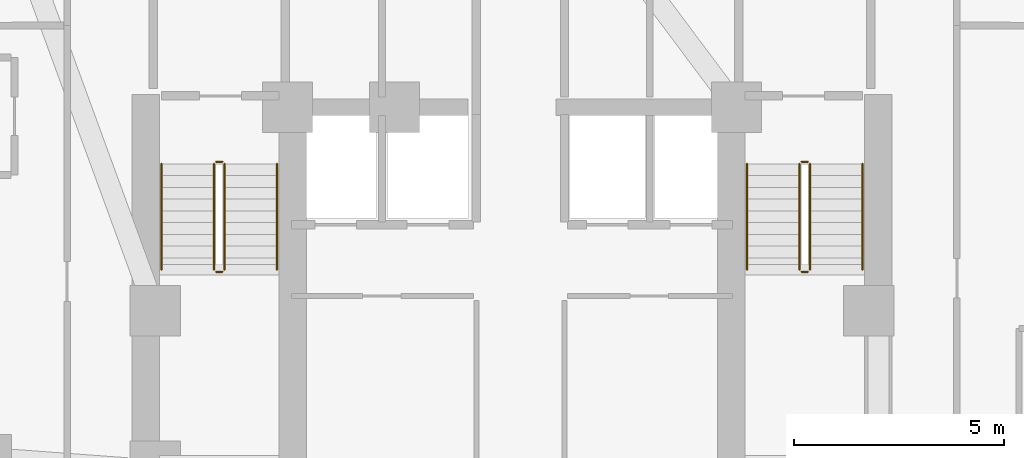
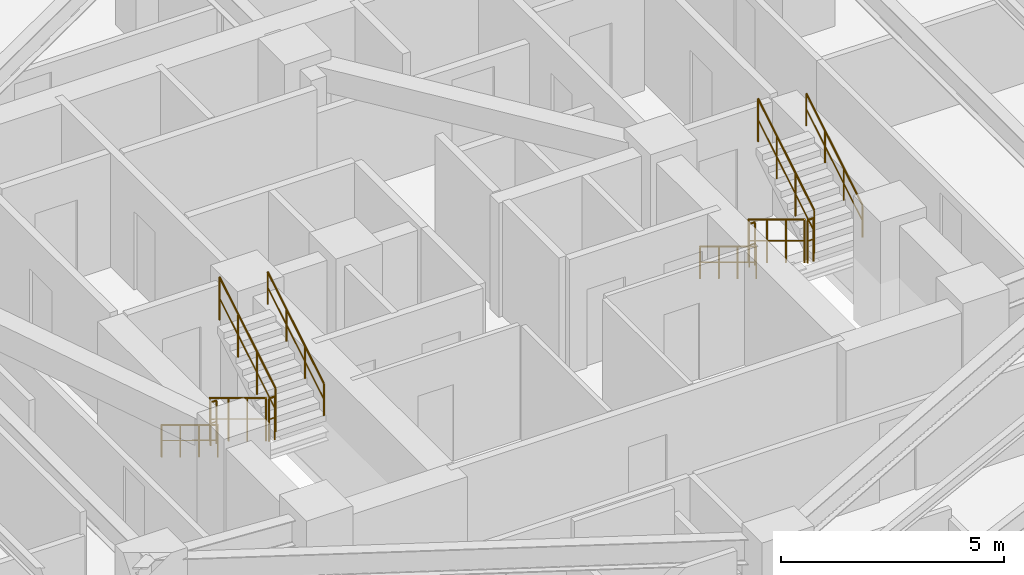
# One storey, part 15 of 15: 12 railings.
"""IFC4 building model written with IfcOpenShell, lengths in metres."""

from ifc_helpers import new_model, si_unit, direction, frame, origin, origin_2d, place, context, subcontext, project, spatial, circle, extrude, material, type_object, element, save


model = new_model("IFC4")

# Units and contexts
model_context = context("Model", 3, precision=1e-05, world=origin(), true_north=direction((0.0, 1.0)))
body_context = subcontext(model_context, "Body", "Model", "MODEL_VIEW")
ifc_project = project(units=[si_unit("LENGTHUNIT", "METRE"), si_unit("AREAUNIT", "SQUARE_METRE"), si_unit("VOLUMEUNIT", "CUBIC_METRE"), si_unit("PLANEANGLEUNIT", "RADIAN"), si_unit("MASSUNIT", "GRAM", prefix="KILO")], contexts=[model_context])

# Site, building, storey
site_placement = place(None, origin())
site = spatial("IfcSite", under=ifc_project, at=site_placement, CompositionType="ELEMENT")
building_placement = place(site_placement, origin())
building = spatial("IfcBuilding", under=site, at=building_placement, Name="Miruveldt Soraemaru", CompositionType="ELEMENT")
storey_placement = place(building_placement, frame((0.0, 0.0, 83.60009765625)))
storey = spatial("IfcBuildingStorey", under=building, at=storey_placement, Name="L23", CompositionType="ELEMENT", Elevation=83.60009765625)

# Railings
ifc_material = material(Name="Steel S355 (355 MPa)", Category="steel")
railing_type_1 = type_object("IfcRailingType", Name="RAIL-HR-900", PredefinedType="HANDRAIL", material=ifc_material)
railing_1_placement = place(storey_placement, frame((35.64990234375, 42.699951171875, 0.169921875)))
element("IfcRailing", 1, at=railing_1_placement, inside=storey, type_object=railing_type_1, Name="L23 ST-1 stair handrail 1", PredefinedType="HANDRAIL", context=body_context, shape_type="SweptSolid", body=[
    extrude(circle(Radius=0.02392578125, at=origin_2d()), frame((0.0, 0.0, 0.8759765625), z_axis=(0.0, -0.85478489116, 0.518982456201), x_axis=(1.0, 0.0, 0.0)), (0.0, 0.0, 1.0), 2.9482421875),
    extrude(circle(Radius=0.01611328125, at=origin_2d()), frame((0.0, 0.0, 0.449951171875), z_axis=(0.0, -0.85478489116, 0.518982456201), x_axis=(1.0, 0.0, 0.0)), (0.0, 0.0, 1.0), 2.9482421875),
    extrude(circle(Radius=0.02099609375, at=origin_2d()), origin(), (0.0, 0.0, 1.0), 0.851806640625),
    extrude(circle(Radius=0.02099609375, at=origin_2d()), frame((0.0, -0.840087890625, 0.510009765625)), (0.0, 0.0, 1.0), 0.851806640625),
    extrude(circle(Radius=0.02099609375, at=origin_2d()), frame((0.0, -1.679931640625, 1.02001953125)), (0.0, 0.0, 1.0), 0.851806640625),
    extrude(circle(Radius=0.02099609375, at=origin_2d()), frame((0.0, -2.52001953125, 1.530029296875)), (0.0, 0.0, 1.0), 0.851806640625),
])
railing_2_placement = place(storey_placement, frame((38.39990234375, 40.179931640625, 1.869873046875)))
element("IfcRailing", 2, at=railing_2_placement, inside=storey, type_object=railing_type_1, Name="L23 ST-1 stair handrail 2", PredefinedType="HANDRAIL", context=body_context, shape_type="SweptSolid", body=[
    extrude(circle(Radius=0.02392578125, at=origin_2d()), frame((0.0, 0.0, 0.8759765625), z_axis=(0.0, 0.85478489116, 0.518982456201), x_axis=(-1.0, 0.0, 0.0)), (0.0, 0.0, 1.0), 2.9482421875),
    extrude(circle(Radius=0.01611328125, at=origin_2d()), frame((0.0, 0.0, 0.449951171875), z_axis=(0.0, 0.85478489116, 0.518982456201), x_axis=(-1.0, 0.0, 0.0)), (0.0, 0.0, 1.0), 2.9482421875),
    extrude(circle(Radius=0.02099609375, at=origin_2d()), origin(), (0.0, 0.0, 1.0), 0.851806640625),
    extrude(circle(Radius=0.02099609375, at=origin_2d()), frame((0.0, 0.840087890625, 0.510009765625)), (0.0, 0.0, 1.0), 0.851806640625),
    extrude(circle(Radius=0.02099609375, at=origin_2d()), frame((0.0, 1.679931640625, 1.02001953125)), (0.0, 0.0, 1.0), 0.851806640625),
    extrude(circle(Radius=0.02099609375, at=origin_2d()), frame((0.0, 2.52001953125, 1.530029296875)), (0.0, 0.0, 1.0), 0.851806640625),
])
railing_3_placement = place(storey_placement, frame((49.60009765625, 42.699951171875, 0.169921875)))
element("IfcRailing", 3, at=railing_3_placement, inside=storey, type_object=railing_type_1, Name="L23 ST-2 stair handrail 1", PredefinedType="HANDRAIL", context=body_context, shape_type="SweptSolid", body=[
    extrude(circle(Radius=0.02392578125, at=origin_2d()), frame((0.0, 0.0, 0.8759765625), z_axis=(0.0, -0.85478489116, 0.518982456201), x_axis=(1.0, 0.0, 0.0)), (0.0, 0.0, 1.0), 2.9482421875),
    extrude(circle(Radius=0.01611328125, at=origin_2d()), frame((0.0, 0.0, 0.449951171875), z_axis=(0.0, -0.85478489116, 0.518982456201), x_axis=(1.0, 0.0, 0.0)), (0.0, 0.0, 1.0), 2.9482421875),
    extrude(circle(Radius=0.02099609375, at=origin_2d()), origin(), (0.0, 0.0, 1.0), 0.851806640625),
    extrude(circle(Radius=0.02099609375, at=origin_2d()), frame((0.0, -0.840087890625, 0.510009765625)), (0.0, 0.0, 1.0), 0.851806640625),
    extrude(circle(Radius=0.02099609375, at=origin_2d()), frame((0.0, -1.679931640625, 1.02001953125)), (0.0, 0.0, 1.0), 0.851806640625),
    extrude(circle(Radius=0.02099609375, at=origin_2d()), frame((0.0, -2.52001953125, 1.530029296875)), (0.0, 0.0, 1.0), 0.851806640625),
])
railing_4_placement = place(storey_placement, frame((52.35009765625, 40.179931640625, 1.869873046875)))
element("IfcRailing", 4, at=railing_4_placement, inside=storey, type_object=railing_type_1, Name="L23 ST-2 stair handrail 2", PredefinedType="HANDRAIL", context=body_context, shape_type="SweptSolid", body=[
    extrude(circle(Radius=0.02392578125, at=origin_2d()), frame((0.0, 0.0, 0.8759765625), z_axis=(0.0, 0.85478489116, 0.518982456201), x_axis=(-1.0, 0.0, 0.0)), (0.0, 0.0, 1.0), 2.9482421875),
    extrude(circle(Radius=0.01611328125, at=origin_2d()), frame((0.0, 0.0, 0.449951171875), z_axis=(0.0, 0.85478489116, 0.518982456201), x_axis=(-1.0, 0.0, 0.0)), (0.0, 0.0, 1.0), 2.9482421875),
    extrude(circle(Radius=0.02099609375, at=origin_2d()), origin(), (0.0, 0.0, 1.0), 0.851806640625),
    extrude(circle(Radius=0.02099609375, at=origin_2d()), frame((0.0, 0.840087890625, 0.510009765625)), (0.0, 0.0, 1.0), 0.851806640625),
    extrude(circle(Radius=0.02099609375, at=origin_2d()), frame((0.0, 1.679931640625, 1.02001953125)), (0.0, 0.0, 1.0), 0.851806640625),
    extrude(circle(Radius=0.02099609375, at=origin_2d()), frame((0.0, 2.52001953125, 1.530029296875)), (0.0, 0.0, 1.0), 0.851806640625),
])
railing_type_2 = type_object("IfcRailingType", Name="RAIL-STGUARD-1200", PredefinedType="GUARDRAIL", material=ifc_material)
railing_5_placement = place(storey_placement, frame((36.89990234375, 42.699951171875, 0.169921875)))
element("IfcRailing", 5, at=railing_5_placement, inside=storey, type_object=railing_type_2, Name="L23 ST-1 stair guard 1", PredefinedType="GUARDRAIL", context=body_context, shape_type="SweptSolid", body=[
    extrude(circle(Radius=0.02392578125, at=origin_2d()), frame((0.0, 0.0, 1.17578125), z_axis=(0.0, -0.85478489116, 0.518982456201), x_axis=(1.0, 0.0, 0.0)), (0.0, 0.0, 1.0), 2.9482421875),
    extrude(circle(Radius=0.01611328125, at=origin_2d()), frame((0.0, 0.0, 0.60009765625), z_axis=(0.0, -0.85478489116, 0.518982456201), x_axis=(1.0, 0.0, 0.0)), (0.0, 0.0, 1.0), 2.9482421875),
    extrude(circle(Radius=0.02099609375, at=origin_2d()), origin(), (0.0, 0.0, 1.0), 1.15185546875),
    extrude(circle(Radius=0.02099609375, at=origin_2d()), frame((0.0, -0.840087890625, 0.510009765625)), (0.0, 0.0, 1.0), 1.15185546875),
    extrude(circle(Radius=0.02099609375, at=origin_2d()), frame((0.0, -1.679931640625, 1.02001953125)), (0.0, 0.0, 1.0), 1.15185546875),
    extrude(circle(Radius=0.02099609375, at=origin_2d()), frame((0.0, -2.52001953125, 1.530029296875)), (0.0, 0.0, 1.0), 1.15185546875),
])
railing_6_placement = place(storey_placement, frame((36.949951171875, 40.1298828125, 1.699951171875)))
element("IfcRailing", 6, at=railing_6_placement, inside=storey, type_object=railing_type_2, Name="L23 ST-1 stair guard 2", PredefinedType="GUARDRAIL", context=body_context, shape_type="SweptSolid", body=[
    extrude(circle(Radius=0.02392578125, at=origin_2d()), frame((0.0, 0.0, 1.17578125), z_axis=(1.0, 0.0, 0.0), x_axis=(0.0, 1.0, 0.0)), (0.0, 0.0, 1.0), 0.150146484375),
    extrude(circle(Radius=0.01611328125, at=origin_2d()), frame((0.0, 0.0, 0.60009765625), z_axis=(1.0, 0.0, 0.0), x_axis=(0.0, 1.0, 0.0)), (0.0, 0.0, 1.0), 0.150146484375),
    extrude(circle(Radius=0.02099609375, at=origin_2d()), origin(), (0.0, 0.0, 1.0), 1.15185546875),
    extrude(circle(Radius=0.02099609375, at=origin_2d()), frame((0.150146484375, 0.0, 0.0)), (0.0, 0.0, 1.0), 1.15185546875),
])
railing_7_placement = place(storey_placement, frame((37.14990234375, 40.179931640625, 1.869873046875)))
element("IfcRailing", 7, at=railing_7_placement, inside=storey, type_object=railing_type_2, Name="L23 ST-1 stair guard 3", PredefinedType="GUARDRAIL", context=body_context, shape_type="SweptSolid", body=[
    extrude(circle(Radius=0.02392578125, at=origin_2d()), frame((0.0, 0.0, 1.17578125), z_axis=(0.0, 0.85478489116, 0.518982456201), x_axis=(-1.0, 0.0, 0.0)), (0.0, 0.0, 1.0), 2.9482421875),
    extrude(circle(Radius=0.01611328125, at=origin_2d()), frame((0.0, 0.0, 0.60009765625), z_axis=(0.0, 0.85478489116, 0.518982456201), x_axis=(-1.0, 0.0, 0.0)), (0.0, 0.0, 1.0), 2.9482421875),
    extrude(circle(Radius=0.02099609375, at=origin_2d()), origin(), (0.0, 0.0, 1.0), 1.15185546875),
    extrude(circle(Radius=0.02099609375, at=origin_2d()), frame((0.0, 0.840087890625, 0.510009765625)), (0.0, 0.0, 1.0), 1.15185546875),
    extrude(circle(Radius=0.02099609375, at=origin_2d()), frame((0.0, 1.679931640625, 1.02001953125)), (0.0, 0.0, 1.0), 1.15185546875),
    extrude(circle(Radius=0.02099609375, at=origin_2d()), frame((0.0, 2.52001953125, 1.530029296875)), (0.0, 0.0, 1.0), 1.15185546875),
])
railing_8_placement = place(storey_placement, frame((36.949951171875, 42.75, 0.0)))
element("IfcRailing", 8, at=railing_8_placement, inside=storey, type_object=railing_type_2, Name="L23 ST-1 stair guard 4", PredefinedType="GUARDRAIL", context=body_context, shape_type="SweptSolid", body=[
    extrude(circle(Radius=0.02392578125, at=origin_2d()), frame((0.0, 0.0, 1.17578125), z_axis=(1.0, 0.0, 0.0), x_axis=(0.0, 1.0, 0.0)), (0.0, 0.0, 1.0), 0.150146484375),
    extrude(circle(Radius=0.01611328125, at=origin_2d()), frame((0.0, 0.0, 0.60009765625), z_axis=(1.0, 0.0, 0.0), x_axis=(0.0, 1.0, 0.0)), (0.0, 0.0, 1.0), 0.150146484375),
    extrude(circle(Radius=0.02099609375, at=origin_2d()), origin(), (0.0, 0.0, 1.0), 1.15185546875),
    extrude(circle(Radius=0.02099609375, at=origin_2d()), frame((0.150146484375, 0.0, 0.0)), (0.0, 0.0, 1.0), 1.15185546875),
])
railing_9_placement = place(storey_placement, frame((50.85009765625, 42.699951171875, 0.169921875)))
element("IfcRailing", 9, at=railing_9_placement, inside=storey, type_object=railing_type_2, Name="L23 ST-2 stair guard 1", PredefinedType="GUARDRAIL", context=body_context, shape_type="SweptSolid", body=[
    extrude(circle(Radius=0.02392578125, at=origin_2d()), frame((0.0, 0.0, 1.17578125), z_axis=(0.0, -0.85478489116, 0.518982456201), x_axis=(1.0, 0.0, 0.0)), (0.0, 0.0, 1.0), 2.9482421875),
    extrude(circle(Radius=0.01611328125, at=origin_2d()), frame((0.0, 0.0, 0.60009765625), z_axis=(0.0, -0.85478489116, 0.518982456201), x_axis=(1.0, 0.0, 0.0)), (0.0, 0.0, 1.0), 2.9482421875),
    extrude(circle(Radius=0.02099609375, at=origin_2d()), origin(), (0.0, 0.0, 1.0), 1.15185546875),
    extrude(circle(Radius=0.02099609375, at=origin_2d()), frame((0.0, -0.840087890625, 0.510009765625)), (0.0, 0.0, 1.0), 1.15185546875),
    extrude(circle(Radius=0.02099609375, at=origin_2d()), frame((0.0, -1.679931640625, 1.02001953125)), (0.0, 0.0, 1.0), 1.15185546875),
    extrude(circle(Radius=0.02099609375, at=origin_2d()), frame((0.0, -2.52001953125, 1.530029296875)), (0.0, 0.0, 1.0), 1.15185546875),
])
railing_10_placement = place(storey_placement, frame((50.89990234375, 40.1298828125, 1.699951171875)))
element("IfcRailing", 10, at=railing_10_placement, inside=storey, type_object=railing_type_2, Name="L23 ST-2 stair guard 2", PredefinedType="GUARDRAIL", context=body_context, shape_type="SweptSolid", body=[
    extrude(circle(Radius=0.02392578125, at=origin_2d()), frame((0.0, 0.0, 1.17578125), z_axis=(1.0, 0.0, 0.0), x_axis=(0.0, 1.0, 0.0)), (0.0, 0.0, 1.0), 0.150146484375),
    extrude(circle(Radius=0.01611328125, at=origin_2d()), frame((0.0, 0.0, 0.60009765625), z_axis=(1.0, 0.0, 0.0), x_axis=(0.0, 1.0, 0.0)), (0.0, 0.0, 1.0), 0.150146484375),
    extrude(circle(Radius=0.02099609375, at=origin_2d()), origin(), (0.0, 0.0, 1.0), 1.15185546875),
    extrude(circle(Radius=0.02099609375, at=origin_2d()), frame((0.150146484375, 0.0, 0.0)), (0.0, 0.0, 1.0), 1.15185546875),
])
railing_11_placement = place(storey_placement, frame((51.10009765625, 40.179931640625, 1.869873046875)))
element("IfcRailing", 11, at=railing_11_placement, inside=storey, type_object=railing_type_2, Name="L23 ST-2 stair guard 3", PredefinedType="GUARDRAIL", context=body_context, shape_type="SweptSolid", body=[
    extrude(circle(Radius=0.02392578125, at=origin_2d()), frame((0.0, 0.0, 1.17578125), z_axis=(0.0, 0.85478489116, 0.518982456201), x_axis=(-1.0, 0.0, 0.0)), (0.0, 0.0, 1.0), 2.9482421875),
    extrude(circle(Radius=0.01611328125, at=origin_2d()), frame((0.0, 0.0, 0.60009765625), z_axis=(0.0, 0.85478489116, 0.518982456201), x_axis=(-1.0, 0.0, 0.0)), (0.0, 0.0, 1.0), 2.9482421875),
    extrude(circle(Radius=0.02099609375, at=origin_2d()), origin(), (0.0, 0.0, 1.0), 1.15185546875),
    extrude(circle(Radius=0.02099609375, at=origin_2d()), frame((0.0, 0.840087890625, 0.510009765625)), (0.0, 0.0, 1.0), 1.15185546875),
    extrude(circle(Radius=0.02099609375, at=origin_2d()), frame((0.0, 1.679931640625, 1.02001953125)), (0.0, 0.0, 1.0), 1.15185546875),
    extrude(circle(Radius=0.02099609375, at=origin_2d()), frame((0.0, 2.52001953125, 1.530029296875)), (0.0, 0.0, 1.0), 1.15185546875),
])
railing_12_placement = place(storey_placement, frame((50.89990234375, 42.75, 0.0)))
element("IfcRailing", 12, at=railing_12_placement, inside=storey, type_object=railing_type_2, Name="L23 ST-2 stair guard 4", PredefinedType="GUARDRAIL", context=body_context, shape_type="SweptSolid", body=[
    extrude(circle(Radius=0.02392578125, at=origin_2d()), frame((0.0, 0.0, 1.17578125), z_axis=(1.0, 0.0, 0.0), x_axis=(0.0, 1.0, 0.0)), (0.0, 0.0, 1.0), 0.150146484375),
    extrude(circle(Radius=0.01611328125, at=origin_2d()), frame((0.0, 0.0, 0.60009765625), z_axis=(1.0, 0.0, 0.0), x_axis=(0.0, 1.0, 0.0)), (0.0, 0.0, 1.0), 0.150146484375),
    extrude(circle(Radius=0.02099609375, at=origin_2d()), origin(), (0.0, 0.0, 1.0), 1.15185546875),
    extrude(circle(Radius=0.02099609375, at=origin_2d()), frame((0.150146484375, 0.0, 0.0)), (0.0, 0.0, 1.0), 1.15185546875),
])

save(model, "model.ifc")
